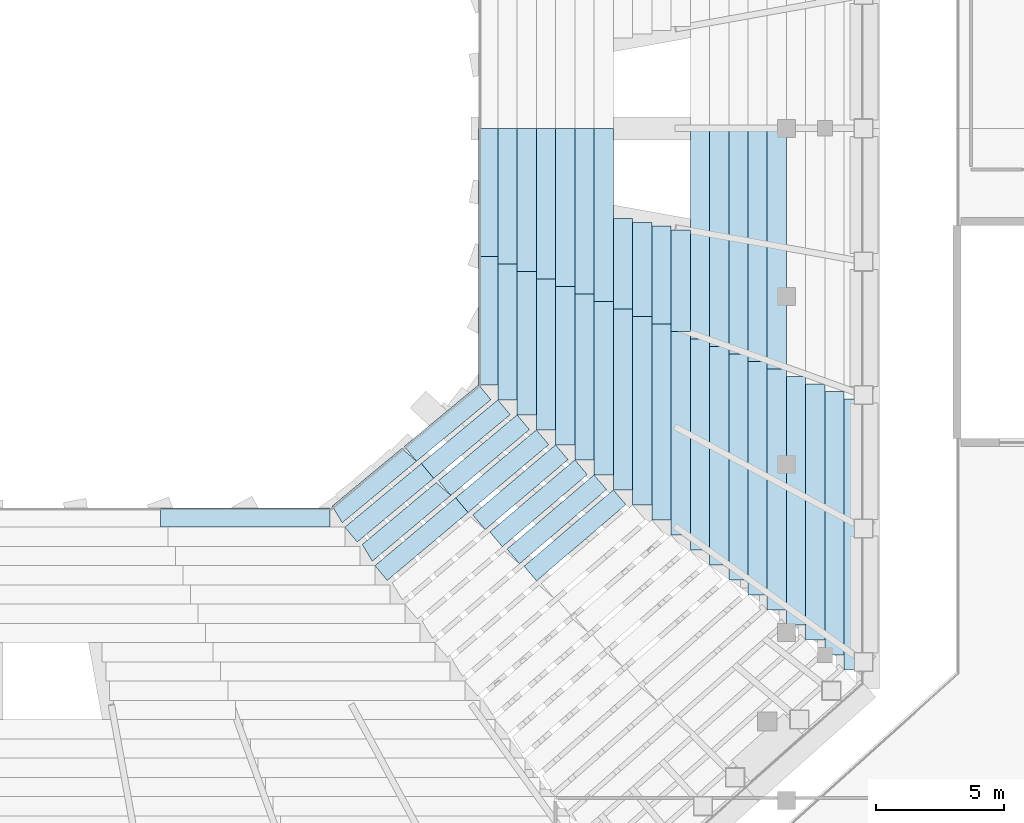
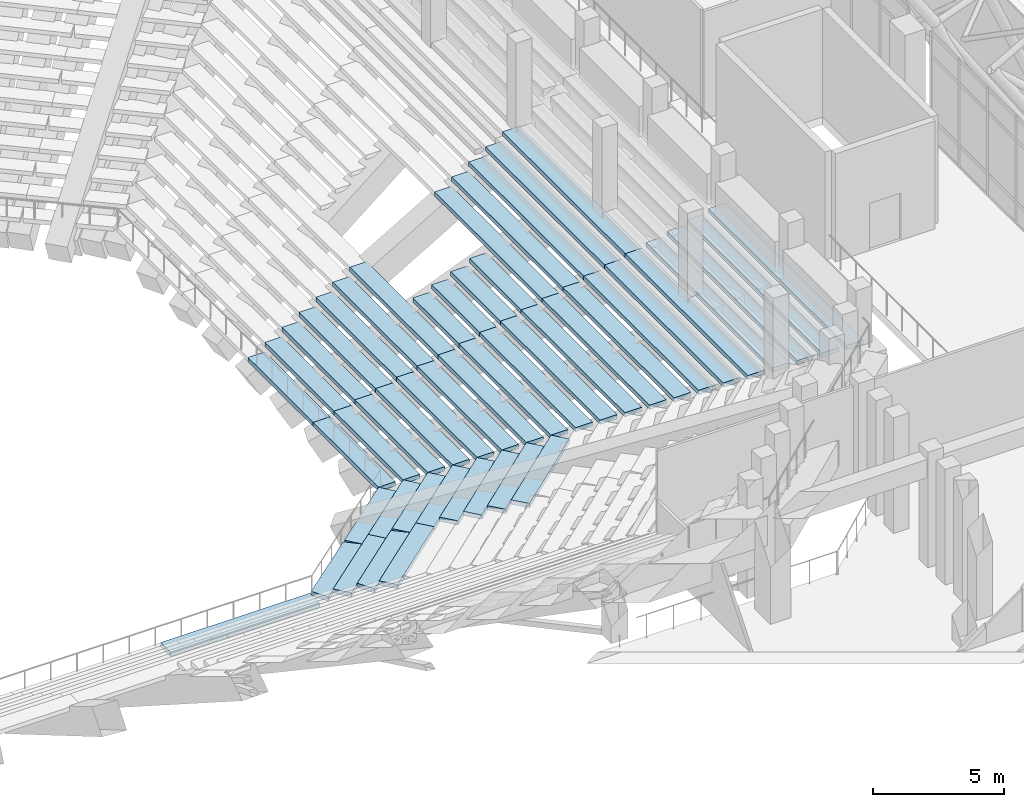
# One storey, part 96 of 159: 49 slabs.
"""IFC4 building model written with IfcOpenShell, lengths in metres."""

from ifc_helpers import new_model, si_unit, derived_unit, direction, frame, origin, place, context, subcontext, project, spatial, polyline, outline, extrude, material, layer, layer_set, type_object, element, save


model = new_model("IFC4")

# Units and contexts
model_context = context("Model", 3, precision=1e-05, world=origin(), true_north=direction((0.0, 1.0)))
body_context = subcontext(model_context, "Body", "Model", "MODEL_VIEW")
ifc_project = project(units=[si_unit("LENGTHUNIT", "METRE"), si_unit("AREAUNIT", "SQUARE_METRE"), si_unit("VOLUMEUNIT", "CUBIC_METRE"), si_unit("PLANEANGLEUNIT", "RADIAN"), si_unit("MASSUNIT", "GRAM", prefix="KILO"), derived_unit("THERMALTRANSMITTANCEUNIT", [(si_unit("MASSUNIT", "GRAM", prefix="KILO"), 1), (si_unit("TIMEUNIT", "SECOND"), -3), (si_unit("THERMODYNAMICTEMPERATUREUNIT", "KELVIN"), -1)])], contexts=[model_context])

# Site, building, storey
site_placement = place(None, origin())
site = spatial("IfcSite", under=ifc_project, at=site_placement, CompositionType="ELEMENT")
building_placement = place(site_placement, origin())
building = spatial("IfcBuilding", under=site, at=building_placement, Name="Valcora Ridge Arena", CompositionType="ELEMENT")
storey_placement = place(building_placement, frame((0.0, 0.0, 6.0)))
storey = spatial("IfcBuildingStorey", under=building, at=storey_placement, Name="L01", CompositionType="ELEMENT", Elevation=6.0)

# Slabs
ifc_material = material(Name="Precast concrete C45/55", Category="concrete")
ifc_layer_1 = layer(ifc_material, 0.199951171875, Name="Precast concrete C45/55")
ifc_layer_set_1 = layer_set([ifc_layer_1], Name="Precast concrete C45/55")
slab_type_1 = type_object("IfcSlabType", Name="TY-SLAB-ST-LOW-L035", PredefinedType="USERDEFINED", material=ifc_layer_set_1)
slab_1_placement = place(storey_placement, frame((0.0, 0.0, -2.52001953125)))
element("IfcSlab", 1, at=slab_1_placement, inside=storey, type_object=slab_type_1, Name="ST-LOW-L035 SLB-TR-0176", ObjectType="SEATING TIER", PredefinedType="USERDEFINED", context=body_context, shape_type="SweptSolid", body=[
    extrude(outline(polyline([(82.25, 57.052490234375), (82.25, 60.576416015625), (83.0, 60.576416015625), (83.0, 57.052490234375), (82.25, 57.052490234375)])), origin(), (0.0, 0.0, 1.0), 0.199951171875),
])
ifc_layer_2 = layer(ifc_material, 0.199951171875, Name="Precast concrete C45/55")
ifc_layer_set_2 = layer_set([ifc_layer_2], Name="Precast concrete C45/55")
slab_type_2 = type_object("IfcSlabType", Name="TY-SLAB-ST-LOW-L037", PredefinedType="USERDEFINED", material=ifc_layer_set_2)
slab_2_placement = place(storey_placement, frame((0.0, 0.0, -2.080078125)))
element("IfcSlab", 2, at=slab_2_placement, inside=storey, type_object=slab_type_2, Name="ST-LOW-L037 SLB-TR-0200", ObjectType="SEATING TIER", PredefinedType="USERDEFINED", context=body_context, shape_type="SweptSolid", body=[
    extrude(outline(polyline([(83.0, 56.760009765625), (83.0, 60.429931640625), (83.75, 60.429931640625), (83.75, 56.760009765625), (83.0, 56.760009765625)])), origin(), (0.0, 0.0, 1.0), 0.2001953125),
])
ifc_layer_3 = layer(ifc_material, 0.199951171875, Name="Precast concrete C45/55")
ifc_layer_set_3 = layer_set([ifc_layer_3], Name="Precast concrete C45/55")
slab_type_3 = type_object("IfcSlabType", Name="TY-SLAB-ST-LOW-L038", PredefinedType="USERDEFINED", material=ifc_layer_set_3)
slab_3_placement = place(storey_placement, frame((0.0, 0.0, -5.60009765625)))
element("IfcSlab", 3, at=slab_3_placement, inside=storey, type_object=slab_type_3, Name="ST-LOW-L038 SLB-TR-0006", ObjectType="SEATING TIER", PredefinedType="USERDEFINED", context=body_context, shape_type="SweptSolid", body=[
    extrude(outline(polyline([(74.10009765625, 51.699951171875), (77.0, 54.10009765625), (77.478271484375, 53.522216796875), (74.578125, 51.122314453125), (74.10009765625, 51.699951171875)])), origin(), (0.0, 0.0, 1.0), 0.2001953125),
])
slab_4_placement = place(storey_placement, frame((0.0, 0.0, -1.639892578125)))
element("IfcSlab", 4, at=slab_4_placement, inside=storey, type_object=slab_type_3, Name="ST-LOW-L038 SLB-TR-0224", ObjectType="SEATING TIER", PredefinedType="USERDEFINED", context=body_context, shape_type="SweptSolid", body=[
    extrude(outline(polyline([(83.75, 56.467529296875), (83.75, 60.28369140625), (84.5, 60.28369140625), (84.5, 56.467529296875), (83.75, 56.467529296875)])), origin(), (0.0, 0.0, 1.0), 0.199951171875),
])
ifc_layer_4 = layer(ifc_material, 0.199951171875, Name="Precast concrete C45/55")
ifc_layer_set_4 = layer_set([ifc_layer_4], Name="Precast concrete C45/55")
slab_type_4 = type_object("IfcSlabType", Name="TY-SLAB-ST-LOW-L039", PredefinedType="USERDEFINED", material=ifc_layer_set_4)
slab_5_placement = place(storey_placement, frame((0.0, 0.0, -5.159912109375)))
element("IfcSlab", 5, at=slab_5_placement, inside=storey, type_object=slab_type_4, Name="ST-LOW-L039 SLB-TR-0029", ObjectType="SEATING TIER", PredefinedType="USERDEFINED", context=body_context, shape_type="SweptSolid", body=[
    extrude(outline(polyline([(71.784912109375, 48.550048828125), (74.767578125, 51.032470703125), (75.247314453125, 50.4560546875), (72.264892578125, 47.9736328125), (71.784912109375, 48.550048828125)])), origin(), (0.0, 0.0, 1.0), 0.199951171875),
])
slab_6_placement = place(storey_placement, frame((0.0, 0.0, -5.159912109375)))
element("IfcSlab", 6, at=slab_6_placement, inside=storey, type_object=slab_type_4, Name="ST-LOW-L039 SLB-TR-0030", ObjectType="SEATING TIER", PredefinedType="USERDEFINED", context=body_context, shape_type="SweptSolid", body=[
    extrude(outline(polyline([(74.767578125, 51.032470703125), (77.75, 53.514892578125), (78.229736328125, 52.938720703125), (75.247314453125, 50.4560546875), (74.767578125, 51.032470703125)])), origin(), (0.0, 0.0, 1.0), 0.199951171875),
])
ifc_layer_5 = layer(ifc_material, 0.199951171875, Name="Precast concrete C45/55")
ifc_layer_set_5 = layer_set([ifc_layer_5], Name="Precast concrete C45/55")
slab_type_5 = type_object("IfcSlabType", Name="TY-SLAB-ST-LOW-L040", PredefinedType="USERDEFINED", material=ifc_layer_set_5)
slab_7_placement = place(storey_placement, frame((0.0, 0.0, -4.719970703125)))
element("IfcSlab", 7, at=slab_7_placement, inside=storey, type_object=slab_type_5, Name="ST-LOW-L040 SLB-TR-0054", ObjectType="SEATING TIER", PredefinedType="USERDEFINED", context=body_context, shape_type="SweptSolid", body=[
    extrude(outline(polyline([(75.43505859375, 50.364990234375), (78.5, 52.929931640625), (78.981201171875, 52.354736328125), (75.916259765625, 49.789794921875), (75.43505859375, 50.364990234375)])), origin(), (0.0, 0.0, 1.0), 0.199951171875),
])
slab_8_placement = place(storey_placement, frame((0.0, 0.0, -1.199951171875)))
element("IfcSlab", 8, at=slab_8_placement, inside=storey, type_object=slab_type_5, Name="ST-LOW-L040 SLB-TR-0248", ObjectType="SEATING TIER", PredefinedType="USERDEFINED", context=body_context, shape_type="SweptSolid", body=[
    extrude(outline(polyline([(84.5, 56.175048828125), (84.5, 60.137451171875), (85.25, 60.137451171875), (85.25, 56.175048828125), (84.5, 56.175048828125)])), origin(), (0.0, 0.0, 1.0), 0.199951171875),
])
ifc_layer_6 = layer(ifc_material, 0.199951171875, Name="Precast concrete C45/55")
ifc_layer_set_6 = layer_set([ifc_layer_6], Name="Precast concrete C45/55")
slab_type_6 = type_object("IfcSlabType", Name="TY-SLAB-ST-LOW-L041", PredefinedType="USERDEFINED", material=ifc_layer_set_6)
slab_9_placement = place(storey_placement, frame((0.0, 0.0, -4.280029296875)))
element("IfcSlab", 9, at=slab_9_placement, inside=storey, type_object=slab_type_6, Name="ST-LOW-L041 SLB-TR-0077", ObjectType="SEATING TIER", PredefinedType="USERDEFINED", context=body_context, shape_type="SweptSolid", body=[
    extrude(outline(polyline([(72.955078125, 47.050048828125), (76.1025390625, 49.697509765625), (76.585205078125, 49.12353515625), (73.437744140625, 46.47607421875), (72.955078125, 47.050048828125)])), origin(), (0.0, 0.0, 1.0), 0.199951171875),
])
slab_10_placement = place(storey_placement, frame((0.0, 0.0, -4.280029296875)))
element("IfcSlab", 10, at=slab_10_placement, inside=storey, type_object=slab_type_6, Name="ST-LOW-L041 SLB-TR-0078", ObjectType="SEATING TIER", PredefinedType="USERDEFINED", context=body_context, shape_type="SweptSolid", body=[
    extrude(outline(polyline([(76.1025390625, 49.697509765625), (79.25, 52.344970703125), (79.73291015625, 51.77099609375), (76.585205078125, 49.12353515625), (76.1025390625, 49.697509765625)])), origin(), (0.0, 0.0, 1.0), 0.199951171875),
])
ifc_layer_7 = layer(ifc_material, 0.199951171875, Name="Precast concrete C45/55")
ifc_layer_set_7 = layer_set([ifc_layer_7], Name="Precast concrete C45/55")
slab_type_7 = type_object("IfcSlabType", Name="TY-SLAB-ST-LOW-L042", PredefinedType="USERDEFINED", material=ifc_layer_set_7)
slab_11_placement = place(storey_placement, frame((0.0, 0.0, -3.840087890625)))
element("IfcSlab", 11, at=slab_11_placement, inside=storey, type_object=slab_type_7, Name="ST-LOW-L042 SLB-TR-0102", ObjectType="SEATING TIER", PredefinedType="USERDEFINED", context=body_context, shape_type="SweptSolid", body=[
    extrude(outline(polyline([(76.77001953125, 49.030029296875), (80.0, 51.760009765625), (80.484130859375, 51.187255859375), (77.254150390625, 48.457275390625), (76.77001953125, 49.030029296875)])), origin(), (0.0, 0.0, 1.0), 0.2001953125),
])
ifc_layer_8 = layer(ifc_material, 0.199951171875, Name="Precast concrete C45/55")
ifc_layer_set_8 = layer_set([ifc_layer_8], Name="Precast concrete C45/55")
slab_type_8 = type_object("IfcSlabType", Name="TY-SLAB-ST-LOW-L043", PredefinedType="USERDEFINED", material=ifc_layer_set_8)
slab_12_placement = place(storey_placement, frame((0.0, 0.0, -3.39990234375)))
element("IfcSlab", 12, at=slab_12_placement, inside=storey, type_object=slab_type_8, Name="ST-LOW-L043 SLB-TR-0126", ObjectType="SEATING TIER", PredefinedType="USERDEFINED", context=body_context, shape_type="SweptSolid", body=[
    extrude(outline(polyline([(77.4375, 48.362548828125), (80.75, 51.175048828125), (81.2353515625, 50.603271484375), (77.9228515625, 47.790771484375), (77.4375, 48.362548828125)])), origin(), (0.0, 0.0, 1.0), 0.199951171875),
])
ifc_layer_9 = layer(ifc_material, 0.199951171875, Name="Precast concrete C45/55")
ifc_layer_set_9 = layer_set([ifc_layer_9], Name="Precast concrete C45/55")
slab_type_9 = type_object("IfcSlabType", Name="TY-SLAB-ST-LOW-L045", PredefinedType="USERDEFINED", material=ifc_layer_set_9)
slab_13_placement = place(storey_placement, frame((0.0, 0.0, -2.9599609375)))
element("IfcSlab", 13, at=slab_13_placement, inside=storey, type_object=slab_type_9, Name="ST-LOW-L045 SLB-TR-0150", ObjectType="SEATING TIER", PredefinedType="USERDEFINED", context=body_context, shape_type="SweptSolid", body=[
    extrude(outline(polyline([(78.10498046875, 47.695068359375), (81.5, 50.590087890625), (81.986572265625, 50.019287109375), (78.591552734375, 47.124267578125), (78.10498046875, 47.695068359375)])), origin(), (0.0, 0.0, 1.0), 0.199951171875),
])
ifc_layer_10 = layer(ifc_material, 0.199951171875, Name="Precast concrete C45/55")
ifc_layer_set_10 = layer_set([ifc_layer_10], Name="Precast concrete C45/55")
slab_type_10 = type_object("IfcSlabType", Name="TY-SLAB-ST-LOW-L046", PredefinedType="USERDEFINED", material=ifc_layer_set_10)
slab_14_placement = place(storey_placement, frame((0.0, 0.0, -2.52001953125)))
element("IfcSlab", 14, at=slab_14_placement, inside=storey, type_object=slab_type_10, Name="ST-LOW-L046 SLB-TR-0174", ObjectType="SEATING TIER", PredefinedType="USERDEFINED", context=body_context, shape_type="SweptSolid", body=[
    extrude(outline(polyline([(78.7724609375, 47.027587890625), (82.25, 50.0048828125), (82.73779296875, 49.435302734375), (79.26025390625, 46.457763671875), (78.7724609375, 47.027587890625)])), origin(), (0.0, 0.0, 1.0), 0.199951171875),
])
ifc_layer_11 = layer(ifc_material, 0.199951171875, Name="Precast concrete C45/55")
ifc_layer_set_11 = layer_set([ifc_layer_11], Name="Precast concrete C45/55")
slab_type_11 = type_object("IfcSlabType", Name="TY-SLAB-ST-LOW-L050", PredefinedType="USERDEFINED", material=ifc_layer_set_11)
slab_15_placement = place(storey_placement, frame((0.0, 0.0, -5.60009765625)))
element("IfcSlab", 15, at=slab_15_placement, inside=storey, type_object=slab_type_11, Name="ST-LOW-L050 SLB-TR-0007", ObjectType="SEATING TIER", PredefinedType="USERDEFINED", context=body_context, shape_type="SweptSolid", body=[
    extrude(outline(polyline([(77.0, 54.10009765625), (77.0, 59.10009765625), (77.75, 59.10009765625), (77.75, 54.10009765625), (77.0, 54.10009765625)])), origin(), (0.0, 0.0, 1.0), 0.2001953125),
])
slab_16_placement = place(storey_placement, frame((0.0, 0.0, -5.60009765625)))
element("IfcSlab", 16, at=slab_16_placement, inside=storey, type_object=slab_type_11, Name="ST-LOW-L050 SLB-TR-0008", ObjectType="SEATING TIER", PredefinedType="USERDEFINED", context=body_context, shape_type="SweptSolid", body=[
    extrude(outline(polyline([(77.0, 59.10009765625), (77.0, 64.10009765625), (77.75, 64.10009765625), (77.75, 59.10009765625), (77.0, 59.10009765625)])), origin(), (0.0, 0.0, 1.0), 0.2001953125),
])
ifc_layer_12 = layer(ifc_material, 0.199951171875, Name="Precast concrete C45/55")
ifc_layer_set_12 = layer_set([ifc_layer_12], Name="Precast concrete C45/55")
slab_type_12 = type_object("IfcSlabType", Name="TY-SLAB-ST-LOW-L053", PredefinedType="USERDEFINED", material=ifc_layer_set_12)
slab_17_placement = place(storey_placement, frame((0.0, 0.0, -5.159912109375)))
element("IfcSlab", 17, at=slab_17_placement, inside=storey, type_object=slab_type_12, Name="ST-LOW-L053 SLB-TR-0031", ObjectType="SEATING TIER", PredefinedType="USERDEFINED", context=body_context, shape_type="SweptSolid", body=[
    extrude(outline(polyline([(77.75, 53.514892578125), (77.75, 58.8076171875), (78.5, 58.8076171875), (78.5, 53.514892578125), (77.75, 53.514892578125)])), origin(), (0.0, 0.0, 1.0), 0.199951171875),
])
slab_18_placement = place(storey_placement, frame((0.0, 0.0, -5.159912109375)))
element("IfcSlab", 18, at=slab_18_placement, inside=storey, type_object=slab_type_12, Name="ST-LOW-L053 SLB-TR-0032", ObjectType="SEATING TIER", PredefinedType="USERDEFINED", context=body_context, shape_type="SweptSolid", body=[
    extrude(outline(polyline([(77.75, 58.8076171875), (77.75, 64.10009765625), (78.5, 64.10009765625), (78.5, 58.8076171875), (77.75, 58.8076171875)])), origin(), (0.0, 0.0, 1.0), 0.199951171875),
])
ifc_layer_13 = layer(ifc_material, 0.199951171875, Name="Precast concrete C45/55")
ifc_layer_set_13 = layer_set([ifc_layer_13], Name="Precast concrete C45/55")
slab_type_13 = type_object("IfcSlabType", Name="TY-SLAB-ST-LOW-L056", PredefinedType="USERDEFINED", material=ifc_layer_set_13)
slab_19_placement = place(storey_placement, frame((0.0, 0.0, -4.719970703125)))
element("IfcSlab", 19, at=slab_19_placement, inside=storey, type_object=slab_type_13, Name="ST-LOW-L056 SLB-TR-0055", ObjectType="SEATING TIER", PredefinedType="USERDEFINED", context=body_context, shape_type="SweptSolid", body=[
    extrude(outline(polyline([(78.5, 52.929931640625), (78.5, 58.514892578125), (79.25, 58.514892578125), (79.25, 52.929931640625), (78.5, 52.929931640625)])), origin(), (0.0, 0.0, 1.0), 0.199951171875),
])
slab_20_placement = place(storey_placement, frame((0.0, 0.0, -4.719970703125)))
element("IfcSlab", 20, at=slab_20_placement, inside=storey, type_object=slab_type_13, Name="ST-LOW-L056 SLB-TR-0056", ObjectType="SEATING TIER", PredefinedType="USERDEFINED", context=body_context, shape_type="SweptSolid", body=[
    extrude(outline(polyline([(78.5, 58.514892578125), (78.5, 64.10009765625), (79.25, 64.10009765625), (79.25, 58.514892578125), (78.5, 58.514892578125)])), origin(), (0.0, 0.0, 1.0), 0.199951171875),
])
ifc_layer_14 = layer(ifc_material, 0.199951171875, Name="Precast concrete C45/55")
ifc_layer_set_14 = layer_set([ifc_layer_14], Name="Precast concrete C45/55")
slab_type_14 = type_object("IfcSlabType", Name="TY-SLAB-ST-LOW-L059", PredefinedType="USERDEFINED", material=ifc_layer_set_14)
slab_21_placement = place(storey_placement, frame((0.0, 0.0, -4.280029296875)))
element("IfcSlab", 21, at=slab_21_placement, inside=storey, type_object=slab_type_14, Name="ST-LOW-L059 SLB-TR-0079", ObjectType="SEATING TIER", PredefinedType="USERDEFINED", context=body_context, shape_type="SweptSolid", body=[
    extrude(outline(polyline([(79.25, 52.344970703125), (79.25, 58.222412109375), (80.0, 58.222412109375), (80.0, 52.344970703125), (79.25, 52.344970703125)])), origin(), (0.0, 0.0, 1.0), 0.199951171875),
])
slab_22_placement = place(storey_placement, frame((0.0, 0.0, -4.280029296875)))
element("IfcSlab", 22, at=slab_22_placement, inside=storey, type_object=slab_type_14, Name="ST-LOW-L059 SLB-TR-0080", ObjectType="SEATING TIER", PredefinedType="USERDEFINED", context=body_context, shape_type="SweptSolid", body=[
    extrude(outline(polyline([(79.25, 58.222412109375), (79.25, 64.10009765625), (80.0, 64.10009765625), (80.0, 58.222412109375), (79.25, 58.222412109375)])), origin(), (0.0, 0.0, 1.0), 0.199951171875),
])
ifc_layer_15 = layer(ifc_material, 0.199951171875, Name="Precast concrete C45/55")
ifc_layer_set_15 = layer_set([ifc_layer_15], Name="Precast concrete C45/55")
slab_type_15 = type_object("IfcSlabType", Name="TY-SLAB-ST-LOW-L062", PredefinedType="USERDEFINED", material=ifc_layer_set_15)
slab_23_placement = place(storey_placement, frame((0.0, 0.0, -3.840087890625)))
element("IfcSlab", 23, at=slab_23_placement, inside=storey, type_object=slab_type_15, Name="ST-LOW-L062 SLB-TR-0103", ObjectType="SEATING TIER", PredefinedType="USERDEFINED", context=body_context, shape_type="SweptSolid", body=[
    extrude(outline(polyline([(80.0, 51.760009765625), (80.0, 57.929931640625), (80.75, 57.929931640625), (80.75, 51.760009765625), (80.0, 51.760009765625)])), origin(), (0.0, 0.0, 1.0), 0.2001953125),
])
slab_24_placement = place(storey_placement, frame((0.0, 0.0, -3.840087890625)))
element("IfcSlab", 24, at=slab_24_placement, inside=storey, type_object=slab_type_15, Name="ST-LOW-L062 SLB-TR-0104", ObjectType="SEATING TIER", PredefinedType="USERDEFINED", context=body_context, shape_type="SweptSolid", body=[
    extrude(outline(polyline([(80.0, 57.929931640625), (80.0, 64.10009765625), (80.75, 64.10009765625), (80.75, 57.929931640625), (80.0, 57.929931640625)])), origin(), (0.0, 0.0, 1.0), 0.2001953125),
])
ifc_layer_16 = layer(ifc_material, 0.199951171875, Name="Precast concrete C45/55")
ifc_layer_set_16 = layer_set([ifc_layer_16], Name="Precast concrete C45/55")
slab_type_16 = type_object("IfcSlabType", Name="TY-SLAB-ST-LOW-L065", PredefinedType="USERDEFINED", material=ifc_layer_set_16)
slab_25_placement = place(storey_placement, frame((0.0, 0.0, -3.39990234375)))
element("IfcSlab", 25, at=slab_25_placement, inside=storey, type_object=slab_type_16, Name="ST-LOW-L065 SLB-TR-0127", ObjectType="SEATING TIER", PredefinedType="USERDEFINED", context=body_context, shape_type="SweptSolid", body=[
    extrude(outline(polyline([(80.75, 51.175048828125), (80.75, 57.637451171875), (81.5, 57.637451171875), (81.5, 51.175048828125), (80.75, 51.175048828125)])), origin(), (0.0, 0.0, 1.0), 0.199951171875),
])
slab_26_placement = place(storey_placement, frame((0.0, 0.0, -3.39990234375)))
element("IfcSlab", 26, at=slab_26_placement, inside=storey, type_object=slab_type_16, Name="ST-LOW-L065 SLB-TR-0128", ObjectType="SEATING TIER", PredefinedType="USERDEFINED", context=body_context, shape_type="SweptSolid", body=[
    extrude(outline(polyline([(80.75, 57.637451171875), (80.75, 64.10009765625), (81.5, 64.10009765625), (81.5, 57.637451171875), (80.75, 57.637451171875)])), origin(), (0.0, 0.0, 1.0), 0.199951171875),
])
ifc_layer_17 = layer(ifc_material, 0.199951171875, Name="Precast concrete C45/55")
ifc_layer_set_17 = layer_set([ifc_layer_17], Name="Precast concrete C45/55")
slab_type_17 = type_object("IfcSlabType", Name="TY-SLAB-ST-LOW-L066", PredefinedType="USERDEFINED", material=ifc_layer_set_17)
slab_27_placement = place(storey_placement, frame((0.0, 0.0, -5.60009765625)))
element("IfcSlab", 27, at=slab_27_placement, inside=storey, type_object=slab_type_17, Name="ST-LOW-L066 SLB-TR-0004", ObjectType="SEATING TIER", PredefinedType="USERDEFINED", context=body_context, shape_type="SweptSolid", body=[
    extrude(outline(polyline([(64.60009765625, 49.300048828125), (71.199951171875, 49.300048828125), (71.199951171875, 48.550048828125), (64.60009765625, 48.550048828125), (64.60009765625, 49.300048828125)])), origin(), (0.0, 0.0, 1.0), 0.2001953125),
])
ifc_layer_18 = layer(ifc_material, 0.199951171875, Name="Precast concrete C45/55")
ifc_layer_set_18 = layer_set([ifc_layer_18], Name="Precast concrete C45/55")
slab_type_18 = type_object("IfcSlabType", Name="TY-SLAB-ST-LOW-L068", PredefinedType="USERDEFINED", material=ifc_layer_set_18)
slab_28_placement = place(storey_placement, frame((0.0, 0.0, -2.9599609375)))
element("IfcSlab", 28, at=slab_28_placement, inside=storey, type_object=slab_type_18, Name="ST-LOW-L068 SLB-TR-0151", ObjectType="SEATING TIER", PredefinedType="USERDEFINED", context=body_context, shape_type="SweptSolid", body=[
    extrude(outline(polyline([(81.5, 50.590087890625), (81.5, 57.344970703125), (82.25, 57.344970703125), (82.25, 50.590087890625), (81.5, 50.590087890625)])), origin(), (0.0, 0.0, 1.0), 0.199951171875),
])
slab_29_placement = place(storey_placement, frame((0.0, 0.0, -2.9599609375)))
element("IfcSlab", 29, at=slab_29_placement, inside=storey, type_object=slab_type_18, Name="ST-LOW-L068 SLB-TR-0152", ObjectType="SEATING TIER", PredefinedType="USERDEFINED", context=body_context, shape_type="SweptSolid", body=[
    extrude(outline(polyline([(81.5, 57.344970703125), (81.5, 64.10009765625), (82.25, 64.10009765625), (82.25, 57.344970703125), (81.5, 57.344970703125)])), origin(), (0.0, 0.0, 1.0), 0.199951171875),
])
ifc_layer_19 = layer(ifc_material, 0.199951171875, Name="Precast concrete C45/55")
ifc_layer_set_19 = layer_set([ifc_layer_19], Name="Precast concrete C45/55")
slab_type_19 = type_object("IfcSlabType", Name="TY-SLAB-ST-LOW-L070", PredefinedType="USERDEFINED", material=ifc_layer_set_19)
slab_30_placement = place(storey_placement, frame((0.0, 0.0, -2.52001953125)))
element("IfcSlab", 30, at=slab_30_placement, inside=storey, type_object=slab_type_19, Name="ST-LOW-L070 SLB-TR-0175", ObjectType="SEATING TIER", PredefinedType="USERDEFINED", context=body_context, shape_type="SweptSolid", body=[
    extrude(outline(polyline([(82.25, 50.0048828125), (82.25, 57.052490234375), (83.0, 57.052490234375), (83.0, 50.0048828125), (82.25, 50.0048828125)])), origin(), (0.0, 0.0, 1.0), 0.199951171875),
])
ifc_layer_20 = layer(ifc_material, 0.199951171875, Name="Precast concrete C45/55")
ifc_layer_set_20 = layer_set([ifc_layer_20], Name="Precast concrete C45/55")
slab_type_20 = type_object("IfcSlabType", Name="TY-SLAB-ST-LOW-L073", PredefinedType="USERDEFINED", material=ifc_layer_set_20)
slab_31_placement = place(storey_placement, frame((0.0, 0.0, -2.080078125)))
element("IfcSlab", 31, at=slab_31_placement, inside=storey, type_object=slab_type_20, Name="ST-LOW-L073 SLB-TR-0199", ObjectType="SEATING TIER", PredefinedType="USERDEFINED", context=body_context, shape_type="SweptSolid", body=[
    extrude(outline(polyline([(83.0, 49.419921875), (83.0, 56.760009765625), (83.75, 56.760009765625), (83.75, 49.419921875), (83.0, 49.419921875)])), origin(), (0.0, 0.0, 1.0), 0.2001953125),
])
ifc_layer_21 = layer(ifc_material, 0.199951171875, Name="Precast concrete C45/55")
ifc_layer_set_21 = layer_set([ifc_layer_21], Name="Precast concrete C45/55")
slab_type_21 = type_object("IfcSlabType", Name="TY-SLAB-ST-LOW-L076", PredefinedType="USERDEFINED", material=ifc_layer_set_21)
slab_32_placement = place(storey_placement, frame((0.0, 0.0, -1.639892578125)))
element("IfcSlab", 32, at=slab_32_placement, inside=storey, type_object=slab_type_21, Name="ST-LOW-L076 SLB-TR-0223", ObjectType="SEATING TIER", PredefinedType="USERDEFINED", context=body_context, shape_type="SweptSolid", body=[
    extrude(outline(polyline([(83.75, 48.8349609375), (83.75, 56.467529296875), (84.5, 56.467529296875), (84.5, 48.8349609375), (83.75, 48.8349609375)])), origin(), (0.0, 0.0, 1.0), 0.199951171875),
])
ifc_layer_22 = layer(ifc_material, 0.199951171875, Name="Precast concrete C45/55")
ifc_layer_set_22 = layer_set([ifc_layer_22], Name="Precast concrete C45/55")
slab_type_22 = type_object("IfcSlabType", Name="TY-SLAB-ST-LOW-L079", PredefinedType="USERDEFINED", material=ifc_layer_set_22)
slab_33_placement = place(storey_placement, frame((0.0, 0.0, -1.199951171875)))
element("IfcSlab", 33, at=slab_33_placement, inside=storey, type_object=slab_type_22, Name="ST-LOW-L079 SLB-TR-0247", ObjectType="SEATING TIER", PredefinedType="USERDEFINED", context=body_context, shape_type="SweptSolid", body=[
    extrude(outline(polyline([(84.5, 48.25), (84.5, 56.175048828125), (85.25, 56.175048828125), (85.25, 48.25), (84.5, 48.25)])), origin(), (0.0, 0.0, 1.0), 0.199951171875),
])
ifc_layer_23 = layer(ifc_material, 0.199951171875, Name="Precast concrete C45/55")
ifc_layer_set_23 = layer_set([ifc_layer_23], Name="Precast concrete C45/55")
slab_type_23 = type_object("IfcSlabType", Name="TY-SLAB-ST-LOW-L082", PredefinedType="USERDEFINED", material=ifc_layer_set_23)
slab_34_placement = place(storey_placement, frame((0.0, 0.0, -0.760009765625)))
element("IfcSlab", 34, at=slab_34_placement, inside=storey, type_object=slab_type_23, Name="ST-LOW-L082 SLB-TR-0271", ObjectType="SEATING TIER", PredefinedType="USERDEFINED", context=body_context, shape_type="SweptSolid", body=[
    extrude(outline(polyline([(85.25, 47.6650390625), (85.25, 55.882568359375), (86.0, 55.882568359375), (86.0, 47.6650390625), (85.25, 47.6650390625)])), origin(), (0.0, 0.0, 1.0), 0.199951171875),
])
slab_35_placement = place(storey_placement, frame((0.0, 0.0, -0.760009765625)))
element("IfcSlab", 35, at=slab_35_placement, inside=storey, type_object=slab_type_23, Name="ST-LOW-L082 SLB-TR-0272", ObjectType="SEATING TIER", PredefinedType="USERDEFINED", context=body_context, shape_type="SweptSolid", body=[
    extrude(outline(polyline([(85.25, 55.882568359375), (85.25, 64.10009765625), (86.0, 64.10009765625), (86.0, 55.882568359375), (85.25, 55.882568359375)])), origin(), (0.0, 0.0, 1.0), 0.199951171875),
])
ifc_layer_24 = layer(ifc_material, 0.199951171875, Name="Precast concrete C45/55")
ifc_layer_set_24 = layer_set([ifc_layer_24], Name="Precast concrete C45/55")
slab_type_24 = type_object("IfcSlabType", Name="TY-SLAB-ST-LOW-L085", PredefinedType="USERDEFINED", material=ifc_layer_set_24)
slab_36_placement = place(storey_placement, frame((0.0, 0.0, -0.320068359375)))
element("IfcSlab", 36, at=slab_36_placement, inside=storey, type_object=slab_type_24, Name="ST-LOW-L085 SLB-TR-0295", ObjectType="SEATING TIER", PredefinedType="USERDEFINED", context=body_context, shape_type="SweptSolid", body=[
    extrude(outline(polyline([(86.0, 47.080078125), (86.0, 55.590087890625), (86.75, 55.590087890625), (86.75, 47.080078125), (86.0, 47.080078125)])), origin(), (0.0, 0.0, 1.0), 0.199951171875),
])
slab_37_placement = place(storey_placement, frame((0.0, 0.0, -0.320068359375)))
element("IfcSlab", 37, at=slab_37_placement, inside=storey, type_object=slab_type_24, Name="ST-LOW-L085 SLB-TR-0296", ObjectType="SEATING TIER", PredefinedType="USERDEFINED", context=body_context, shape_type="SweptSolid", body=[
    extrude(outline(polyline([(86.0, 55.590087890625), (86.0, 64.10009765625), (86.75, 64.10009765625), (86.75, 55.590087890625), (86.0, 55.590087890625)])), origin(), (0.0, 0.0, 1.0), 0.199951171875),
])
ifc_layer_25 = layer(ifc_material, 0.199951171875, Name="Precast concrete C45/55")
ifc_layer_set_25 = layer_set([ifc_layer_25], Name="Precast concrete C45/55")
slab_type_25 = type_object("IfcSlabType", Name="TY-SLAB-ST-LOW-L088", PredefinedType="USERDEFINED", material=ifc_layer_set_25)
slab_38_placement = place(storey_placement, frame((0.0, 0.0, 0.1201171875)))
element("IfcSlab", 38, at=slab_38_placement, inside=storey, type_object=slab_type_25, Name="ST-LOW-L088 SLB-TR-0319", ObjectType="SEATING TIER", PredefinedType="USERDEFINED", context=body_context, shape_type="SweptSolid", body=[
    extrude(outline(polyline([(86.75, 46.4951171875), (86.75, 55.297607421875), (87.5, 55.297607421875), (87.5, 46.4951171875), (86.75, 46.4951171875)])), origin(), (0.0, 0.0, 1.0), 0.199951171875),
])
slab_39_placement = place(storey_placement, frame((0.0, 0.0, 0.1201171875)))
element("IfcSlab", 39, at=slab_39_placement, inside=storey, type_object=slab_type_25, Name="ST-LOW-L088 SLB-TR-0320", ObjectType="SEATING TIER", PredefinedType="USERDEFINED", context=body_context, shape_type="SweptSolid", body=[
    extrude(outline(polyline([(86.75, 55.297607421875), (86.75, 64.10009765625), (87.5, 64.10009765625), (87.5, 55.297607421875), (86.75, 55.297607421875)])), origin(), (0.0, 0.0, 1.0), 0.199951171875),
])
ifc_layer_26 = layer(ifc_material, 0.199951171875, Name="Precast concrete C45/55")
ifc_layer_set_26 = layer_set([ifc_layer_26], Name="Precast concrete C45/55")
slab_type_26 = type_object("IfcSlabType", Name="TY-SLAB-ST-LOW-L091", PredefinedType="USERDEFINED", material=ifc_layer_set_26)
slab_40_placement = place(storey_placement, frame((0.0, 0.0, 0.56005859375)))
element("IfcSlab", 40, at=slab_40_placement, inside=storey, type_object=slab_type_26, Name="ST-LOW-L091 SLB-TR-0343", ObjectType="SEATING TIER", PredefinedType="USERDEFINED", context=body_context, shape_type="SweptSolid", body=[
    extrude(outline(polyline([(87.5, 45.909912109375), (87.5, 55.0048828125), (88.25, 55.0048828125), (88.25, 45.909912109375), (87.5, 45.909912109375)])), origin(), (0.0, 0.0, 1.0), 0.199951171875),
])
slab_41_placement = place(storey_placement, frame((0.0, 0.0, 0.56005859375)))
element("IfcSlab", 41, at=slab_41_placement, inside=storey, type_object=slab_type_26, Name="ST-LOW-L091 SLB-TR-0344", ObjectType="SEATING TIER", PredefinedType="USERDEFINED", context=body_context, shape_type="SweptSolid", body=[
    extrude(outline(polyline([(87.5, 55.0048828125), (87.5, 64.10009765625), (88.25, 64.10009765625), (88.25, 55.0048828125), (87.5, 55.0048828125)])), origin(), (0.0, 0.0, 1.0), 0.199951171875),
])
ifc_layer_27 = layer(ifc_material, 0.199951171875, Name="Precast concrete C45/55")
ifc_layer_set_27 = layer_set([ifc_layer_27], Name="Precast concrete C45/55")
slab_type_27 = type_object("IfcSlabType", Name="TY-SLAB-ST-LOW-L094", PredefinedType="USERDEFINED", material=ifc_layer_set_27)
slab_42_placement = place(storey_placement, frame((0.0, 0.0, 1.0)))
element("IfcSlab", 42, at=slab_42_placement, inside=storey, type_object=slab_type_27, Name="ST-LOW-L094 SLB-TR-0367", ObjectType="SEATING TIER", PredefinedType="USERDEFINED", context=body_context, shape_type="SweptSolid", body=[
    extrude(outline(polyline([(88.25, 45.324951171875), (88.25, 54.71240234375), (89.0, 54.71240234375), (89.0, 45.324951171875), (88.25, 45.324951171875)])), origin(), (0.0, 0.0, 1.0), 0.199951171875),
])
slab_43_placement = place(storey_placement, frame((0.0, 0.0, 1.0)))
element("IfcSlab", 43, at=slab_43_placement, inside=storey, type_object=slab_type_27, Name="ST-LOW-L094 SLB-TR-0368", ObjectType="SEATING TIER", PredefinedType="USERDEFINED", context=body_context, shape_type="SweptSolid", body=[
    extrude(outline(polyline([(88.25, 54.71240234375), (88.25, 64.10009765625), (89.0, 64.10009765625), (89.0, 54.71240234375), (88.25, 54.71240234375)])), origin(), (0.0, 0.0, 1.0), 0.199951171875),
])
ifc_layer_28 = layer(ifc_material, 0.199951171875, Name="Precast concrete C45/55")
ifc_layer_set_28 = layer_set([ifc_layer_28], Name="Precast concrete C45/55")
slab_type_28 = type_object("IfcSlabType", Name="TY-SLAB-ST-LOW-L097", PredefinedType="USERDEFINED", material=ifc_layer_set_28)
slab_44_placement = place(storey_placement, frame((0.0, 0.0, 1.43994140625)))
element("IfcSlab", 44, at=slab_44_placement, inside=storey, type_object=slab_type_28, Name="ST-LOW-L097 SLB-TR-0391", ObjectType="SEATING TIER", PredefinedType="USERDEFINED", context=body_context, shape_type="SweptSolid", body=[
    extrude(outline(polyline([(89.0, 44.739990234375), (89.0, 54.419921875), (89.75, 54.419921875), (89.75, 44.739990234375), (89.0, 44.739990234375)])), origin(), (0.0, 0.0, 1.0), 0.199951171875),
])
ifc_layer_29 = layer(ifc_material, 0.199951171875, Name="Precast concrete C45/55")
ifc_layer_set_29 = layer_set([ifc_layer_29], Name="Precast concrete C45/55")
slab_type_29 = type_object("IfcSlabType", Name="TY-SLAB-ST-LOW-L100", PredefinedType="USERDEFINED", material=ifc_layer_set_29)
slab_45_placement = place(storey_placement, frame((0.0, 0.0, 1.8798828125)))
element("IfcSlab", 45, at=slab_45_placement, inside=storey, type_object=slab_type_29, Name="ST-LOW-L100 SLB-TR-0415", ObjectType="SEATING TIER", PredefinedType="USERDEFINED", context=body_context, shape_type="SweptSolid", body=[
    extrude(outline(polyline([(89.75, 44.155029296875), (89.75, 54.12744140625), (90.5, 54.12744140625), (90.5, 44.155029296875), (89.75, 44.155029296875)])), origin(), (0.0, 0.0, 1.0), 0.2001953125),
])
ifc_layer_30 = layer(ifc_material, 0.199951171875, Name="Precast concrete C45/55")
ifc_layer_set_30 = layer_set([ifc_layer_30], Name="Precast concrete C45/55")
slab_type_30 = type_object("IfcSlabType", Name="TY-SLAB-ST-LOW-L103", PredefinedType="USERDEFINED", material=ifc_layer_set_30)
slab_46_placement = place(storey_placement, frame((0.0, 0.0, 2.320068359375)))
element("IfcSlab", 46, at=slab_46_placement, inside=storey, type_object=slab_type_30, Name="ST-LOW-L103 SLB-TR-0439", ObjectType="SEATING TIER", PredefinedType="USERDEFINED", context=body_context, shape_type="SweptSolid", body=[
    extrude(outline(polyline([(90.5, 43.570068359375), (90.5, 53.8349609375), (91.25, 53.8349609375), (91.25, 43.570068359375), (90.5, 43.570068359375)])), origin(), (0.0, 0.0, 1.0), 0.199951171875),
])
ifc_layer_31 = layer(ifc_material, 0.199951171875, Name="Precast concrete C45/55")
ifc_layer_set_31 = layer_set([ifc_layer_31], Name="Precast concrete C45/55")
slab_type_31 = type_object("IfcSlabType", Name="TY-SLAB-ST-LOW-L106", PredefinedType="USERDEFINED", material=ifc_layer_set_31)
slab_47_placement = place(storey_placement, frame((0.0, 0.0, 2.760009765625)))
element("IfcSlab", 47, at=slab_47_placement, inside=storey, type_object=slab_type_31, Name="ST-LOW-L106 SLB-TR-0463", ObjectType="SEATING TIER", PredefinedType="USERDEFINED", context=body_context, shape_type="SweptSolid", body=[
    extrude(outline(polyline([(91.25, 42.985107421875), (91.25, 53.54248046875), (92.0, 53.54248046875), (92.0, 42.985107421875), (91.25, 42.985107421875)])), origin(), (0.0, 0.0, 1.0), 0.199951171875),
])
ifc_layer_32 = layer(ifc_material, 0.199951171875, Name="Precast concrete C45/55")
ifc_layer_set_32 = layer_set([ifc_layer_32], Name="Precast concrete C45/55")
slab_type_32 = type_object("IfcSlabType", Name="TY-SLAB-ST-LOW-M038", PredefinedType="USERDEFINED", material=ifc_layer_set_32)
slab_48_placement = place(storey_placement, frame((0.0, 0.0, -5.60009765625)))
element("IfcSlab", 48, at=slab_48_placement, inside=storey, type_object=slab_type_32, Name="ST-LOW-M038 SLB-TR-0005", ObjectType="SEATING TIER", PredefinedType="USERDEFINED", context=body_context, shape_type="SweptSolid", body=[
    extrude(outline(polyline([(71.29248046875, 49.37646484375), (74.007568359375, 51.62353515625), (74.578125, 51.122314453125), (71.67822265625, 48.72216796875), (71.29248046875, 49.37646484375)])), origin(), (0.0, 0.0, 1.0), 0.2001953125),
])
ifc_layer_33 = layer(ifc_material, 0.199951171875, Name="Precast concrete C45/55")
ifc_layer_set_33 = layer_set([ifc_layer_33], Name="Precast concrete C45/55")
slab_type_33 = type_object("IfcSlabType", Name="TY-SLAB-ST-LOW-M040", PredefinedType="USERDEFINED", material=ifc_layer_set_33)
slab_49_placement = place(storey_placement, frame((0.0, 0.0, -4.719970703125)))
element("IfcSlab", 49, at=slab_49_placement, inside=storey, type_object=slab_type_33, Name="ST-LOW-M040 SLB-TR-0053", ObjectType="SEATING TIER", PredefinedType="USERDEFINED", context=body_context, shape_type="SweptSolid", body=[
    extrude(outline(polyline([(72.4619140625, 47.876953125), (75.343017578125, 50.2880859375), (75.916259765625, 49.789794921875), (72.851318359375, 47.224853515625), (72.4619140625, 47.876953125)])), origin(), (0.0, 0.0, 1.0), 0.199951171875),
])

save(model, "model.ifc")
